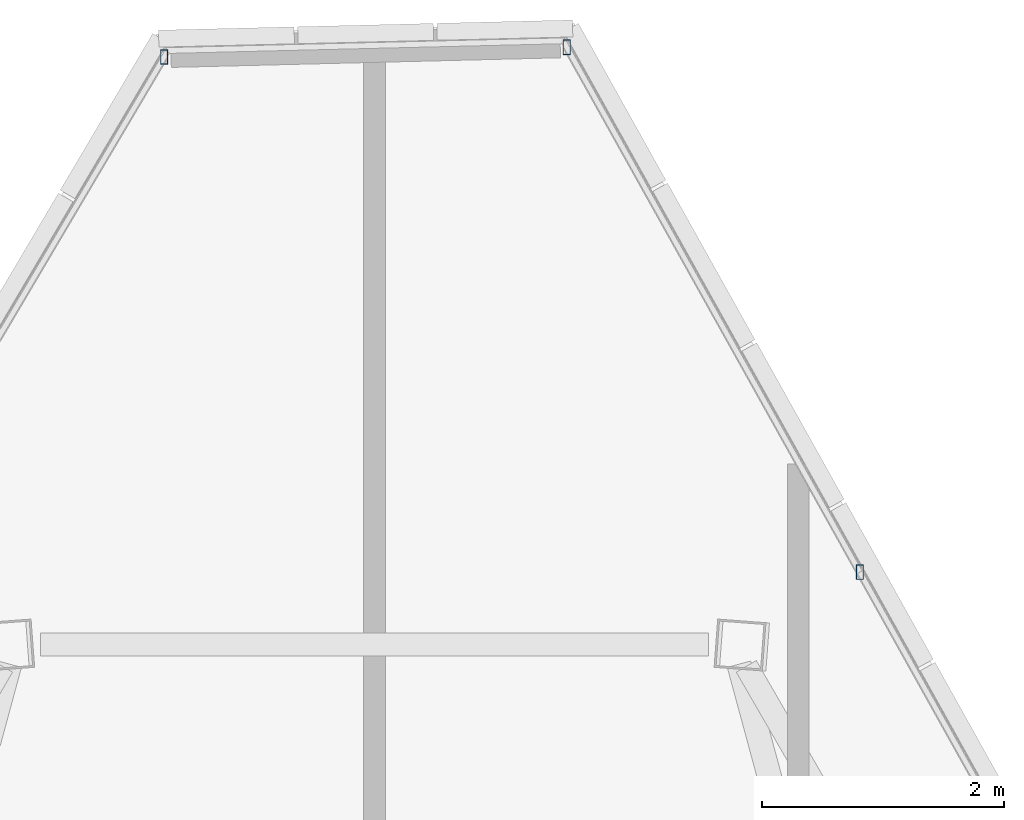
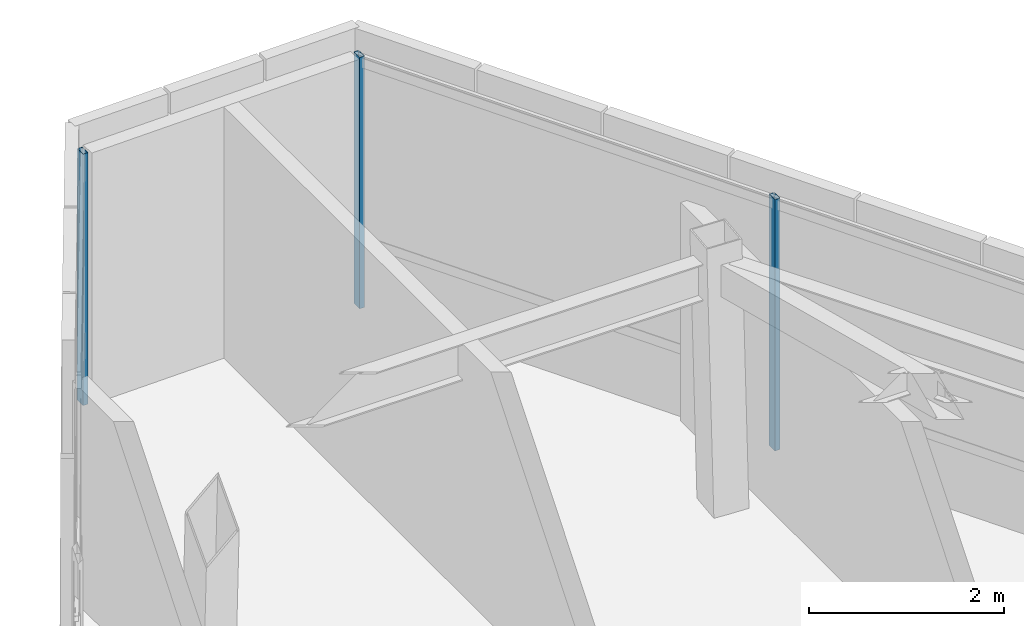
# One storey, part 37 of 44: 3 members, 2 elements without a shape of their own.
"""IFC4 building model written with IfcOpenShell, lengths in metres."""

from ifc_helpers import new_model, si_unit, direction, frame, origin, origin_2d, place, context, subcontext, project, spatial, hollow_rectangle, extrude, source, transform, mapped, material, material_profile, profile_set, type_object, type_shapes, element, aggregate, save


model = new_model("IFC4")

# Units and contexts
model_context = context("Model", 3, precision=1e-05, world=origin(), true_north=direction((0.0, 1.0)))
body_context = subcontext(model_context, "Body", "Model", "MODEL_VIEW")
ifc_project = project(units=[si_unit("LENGTHUNIT", "METRE"), si_unit("AREAUNIT", "SQUARE_METRE"), si_unit("VOLUMEUNIT", "CUBIC_METRE"), si_unit("PLANEANGLEUNIT", "RADIAN"), si_unit("MASSUNIT", "GRAM", prefix="KILO")], contexts=[model_context])

# Site, building, storey
site_placement = place(None, origin())
site = spatial("IfcSite", under=ifc_project, at=site_placement, CompositionType="ELEMENT")
building_placement = place(site_placement, origin())
building = spatial("IfcBuilding", under=site, at=building_placement, Name="Caelisora Broadcast Tower", CompositionType="ELEMENT")
storey_placement = place(building_placement, frame((0.0, 0.0, 289.800048828125)))
storey = spatial("IfcBuildingStorey", under=building, at=storey_placement, Name="L76", CompositionType="ELEMENT", Elevation=289.800048828125)

# Curtain wall, members
ifc_material_1 = material(Name="Unitised Aluminium Insulated Shadow-Box Spandrel Curtain Wall", Category="aluminium")
curtain_wall_type = type_object("IfcCurtainWallType", Name="CW-SP3", PredefinedType="NOTDEFINED", material=ifc_material_1)
curtain_wall_1_placement = place(storey_placement, origin())
curtain_wall_1 = element("IfcCurtainWall", 1, at=curtain_wall_1_placement, inside=storey, type_object=curtain_wall_type, Name="L76 curtain wall CW-SP3", PredefinedType="NOTDEFINED")
ifc_material_2 = material(Name="Aluminium 6063-T6 Anodised Terracotta Bronze", Category="aluminium")
ifc_material_profile = material_profile(ifc_material_2, hollow_rectangle(XDim=0.06005859375, YDim=0.1201171875, WallThickness=0.0029296875, at=origin_2d()), Name="Aluminium 6063-T6 Anodised Terracotta Bronze")
ifc_profile_set = profile_set([ifc_material_profile], Name="Aluminium 6063-T6 Anodised Terracotta Bronze")
member_type = type_object("IfcMemberType", Name="CWM-04", PredefinedType="MULLION", material=ifc_profile_set)
shared_shape = source(origin(), body_context, "Body", "SweptSolid", [
    extrude(hollow_rectangle(XDim=0.06005859375, YDim=0.1201171875, WallThickness=0.0029296875, at=origin_2d()), origin(), (0.0, 0.0, 1.0), 3.14990234375),
])
type_shapes(member_type, [shared_shape])
member_1_placement = place(storey_placement, frame((39.58837890625, 51.67138671875, 0.0), z_axis=(0.0, 0.0, 1.0), x_axis=(1.0, 0.0, 0.0)))
member_1 = element("IfcMember", 2, at=member_1_placement, type_object=member_type, Name="L76-CW-B01 mullion #0", PredefinedType="MULLION", context=body_context, shape_type="MappedRepresentation", body=[
    mapped(shared_shape, transform((0.0, 0.0, 0.0), scale=1.0)),
])
member_2_placement = place(storey_placement, frame((42.00830078125, 47.336669921875, 0.0), z_axis=(0.0, 0.0, 1.0), x_axis=(1.0, 0.0, 0.0)))
member_2 = element("IfcMember", 3, at=member_2_placement, type_object=member_type, Name="L76-CW-B01 mullion #1", PredefinedType="MULLION", context=body_context, shape_type="MappedRepresentation", body=[
    mapped(shared_shape, transform((0.0, 0.0, 0.0), scale=1.0)),
])
aggregate(curtain_wall_1, [member_1, member_2])

# Curtain wall, member
curtain_wall_2_placement = place(storey_placement, origin())
curtain_wall_2 = element("IfcCurtainWall", 4, at=curtain_wall_2_placement, inside=storey, type_object=curtain_wall_type, Name="L76 curtain wall CW-SP3", PredefinedType="NOTDEFINED")
member_3_placement = place(storey_placement, frame((36.2646484375, 51.591064453125, 0.0), z_axis=(0.0, 0.0, 1.0), x_axis=(1.0, 0.0, 0.0)))
member_3 = element("IfcMember", 5, at=member_3_placement, type_object=member_type, Name="L76-CW-B11 mullion #3", PredefinedType="MULLION", context=body_context, shape_type="MappedRepresentation", body=[
    mapped(shared_shape, transform((0.0, 0.0, 0.0), scale=1.0)),
])
aggregate(curtain_wall_2, [member_3])

save(model, "model.ifc")
